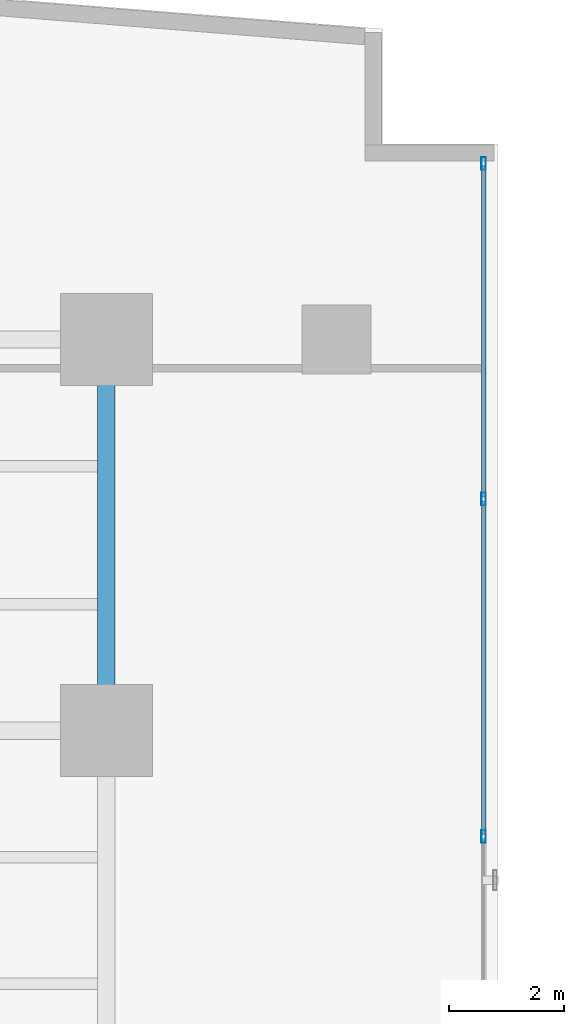
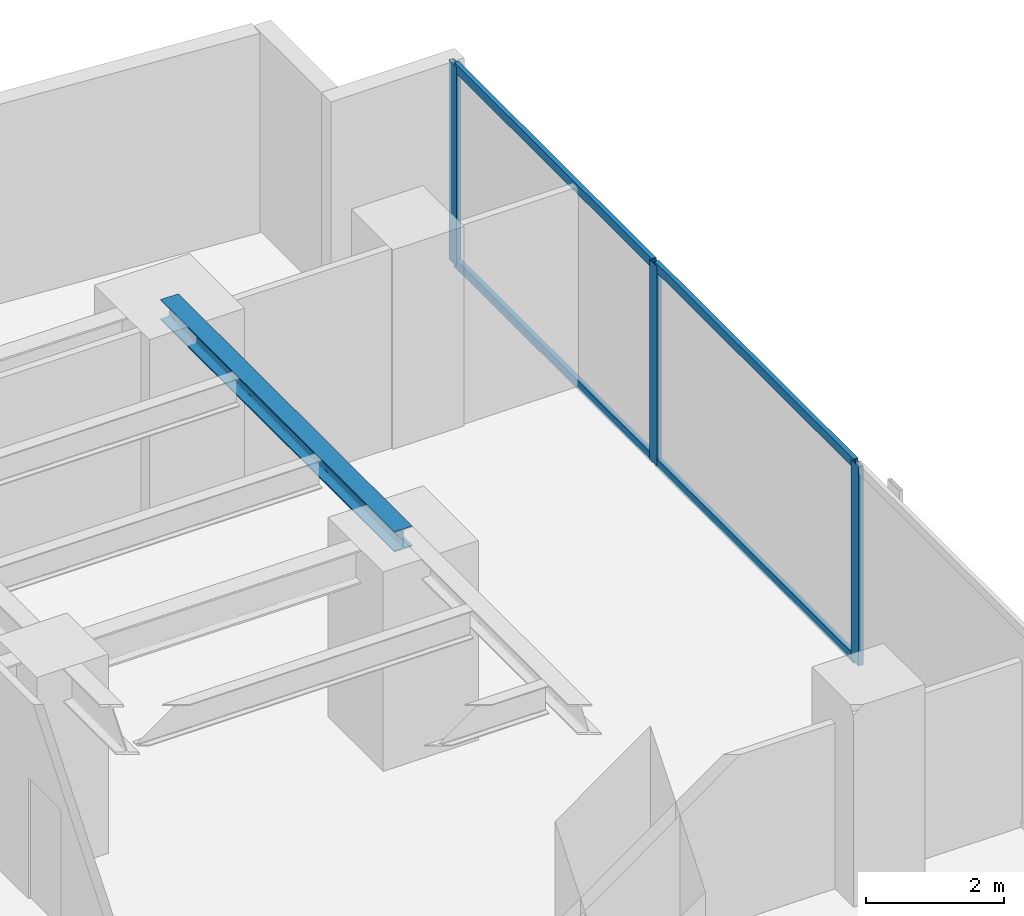
# One storey, part 19 of 27: 7 members, 1 beam, 1 element without a shape of its own.
"""IFC4 building model written with IfcOpenShell, lengths in metres."""

from ifc_helpers import new_model, si_unit, direction, frame, origin, origin_with_axes, origin_2d, place, context, subcontext, project, spatial, hollow_rectangle, i_section, extrude, source, transform, mapped, material, layer, layer_set, material_profile, profile_set, type_object, element, aggregate, save


model = new_model("IFC4")

# Units and contexts
model_context = context("Model", 3, precision=1e-05, world=origin(), true_north=direction((0.0, 1.0)))
body_context = subcontext(model_context, "Body", "Model", "MODEL_VIEW")
ifc_project = project(units=[si_unit("LENGTHUNIT", "METRE"), si_unit("AREAUNIT", "SQUARE_METRE"), si_unit("VOLUMEUNIT", "CUBIC_METRE"), si_unit("PLANEANGLEUNIT", "RADIAN"), si_unit("MASSUNIT", "GRAM", prefix="KILO")], contexts=[model_context])

# Site, building, storey
site_placement = place(None, origin())
site = spatial("IfcSite", under=ifc_project, at=site_placement, CompositionType="ELEMENT")
building_placement = place(site_placement, origin())
building = spatial("IfcBuilding", under=site, at=building_placement, Name="Kolvaren Waterfront Exchange", CompositionType="ELEMENT")
storey_placement = place(building_placement, frame((0.0, 0.0, 33.39990234375)))
storey = spatial("IfcBuildingStorey", under=building, at=storey_placement, Name="L08", CompositionType="ELEMENT", Elevation=33.39990234375)

# Beam
ifc_material_1 = material(Name="Steel S355", Category="steel")
ifc_material_profile_1 = material_profile(ifc_material_1, i_section(OverallWidth=0.300048828125, OverallDepth=0.360107421875, WebThickness=0.012451171875, FlangeThickness=0.0224609375, FilletRadius=0.027099609375, at=origin_2d()), Name="HEB360")
ifc_profile_set_1 = profile_set([ifc_material_profile_1], Name="Steel S355")
beam_type = type_object("IfcBeamType", Name="STR-BM-HEB360", PredefinedType="SPANDREL", material=ifc_profile_set_1)
beam_placement = place(storey_placement, frame((18.800048828125, 37.800048828125, 3.360107421875), z_axis=(0.0, 1.0, 0.0), x_axis=(-1.0, 0.0, 0.0)))
element("IfcBeam", 1, at=beam_placement, inside=storey, type_object=beam_type, Name="L08 north-arm edge beam 3", PredefinedType="SPANDREL", context=body_context, shape_type="SweptSolid", body=[
    extrude(i_section(OverallWidth=0.300048828125, OverallDepth=0.360107421875, WebThickness=0.012451171875, FlangeThickness=0.0224609375, FilletRadius=0.027099609375, at=origin_2d()), origin(), (0.0, 0.0, 1.0), 6.800048828125),
])

# Curtain wall, members
ifc_material_2 = material(Name="Anodised bronze aluminium 6063-T6", Category="aluminium")
ifc_layer = layer(ifc_material_2, 0.219970703125, Name="Anodised bronze aluminium 6063-T6")
ifc_layer_set = layer_set([ifc_layer], Name="Anodised bronze aluminium 6063-T6")
curtain_wall_type = type_object("IfcCurtainWallType", Name="ARC-CW-SYS1", PredefinedType="USERDEFINED", material=ifc_layer_set)
curtain_wall_placement = place(storey_placement, origin())
curtain_wall = element("IfcCurtainWall", 2, at=curtain_wall_placement, inside=storey, type_object=curtain_wall_type, Name="L08 stick curtain wall CW1 (CW-L08-NE)", ObjectType="STICK CURTAIN WALL", PredefinedType="USERDEFINED")
ifc_material_3 = material(Name="Anodised aluminium 6063-T6", Category="aluminium")
ifc_material_profile_2 = material_profile(ifc_material_3, hollow_rectangle(XDim=0.074951171875, YDim=0.159912109375, WallThickness=0.00439453125, at=origin_2d()), Name="ALU-TRN-160x75x4.5")
ifc_profile_set_2 = profile_set([ifc_material_profile_2], Name="Anodised aluminium 6063-T6")
member_type_1 = type_object("IfcMemberType", Name="ARC-CWT-160", PredefinedType="USERDEFINED", material=ifc_profile_set_2)
shared_shape_1 = source(origin_with_axes(), body_context, "Body", "SweptSolid", [
    extrude(hollow_rectangle(XDim=0.074951171875, YDim=0.159912109375, WallThickness=0.00439453125, at=origin_2d()), origin(), (0.0, 0.0, 1.0), 5.75),
])
member_1_placement = place(storey_placement, frame((25.360107421875, 41.8701171875, 0.03759765625), z_axis=(0.0, 1.0, 0.0), x_axis=(-1.0, 0.0, 0.0)))
member_1 = element("IfcMember", 3, at=member_1_placement, type_object=member_type_1, Name="CW1 transom 3.1", ObjectType="TRANSOM", PredefinedType="USERDEFINED", context=body_context, shape_type="MappedRepresentation", body=[
    mapped(shared_shape_1, transform((0.0, 0.0, 0.0), x_axis=(1.0, 0.0, 0.0), y_axis=(0.0, 1.0, 0.0), z_axis=(0.0, 0.0, 1.0), scale=1.0)),
])
member_2_placement = place(storey_placement, frame((25.360107421875, 41.8701171875, 3.502685546875), z_axis=(0.0, 1.0, 0.0), x_axis=(-1.0, 0.0, 0.0)))
member_2 = element("IfcMember", 4, at=member_2_placement, type_object=member_type_1, Name="CW1 transom 3.2", ObjectType="TRANSOM", PredefinedType="USERDEFINED", context=body_context, shape_type="MappedRepresentation", body=[
    mapped(shared_shape_1, transform((0.0, 0.0, 0.0), x_axis=(1.0, 0.0, 0.0), y_axis=(0.0, 1.0, 0.0), z_axis=(0.0, 0.0, 1.0), scale=1.0)),
])
shared_shape_2 = source(origin_with_axes(), body_context, "Body", "SweptSolid", [
    extrude(hollow_rectangle(XDim=0.074951171875, YDim=0.159912109375, WallThickness=0.00439453125, at=origin_2d()), origin(), (0.0, 0.0, 1.0), 5.7900390625),
])
member_3_placement = place(storey_placement, frame((25.360107421875, 36.0, 0.03759765625), z_axis=(0.0, 1.0, 0.0), x_axis=(-1.0, 0.0, 0.0)))
member_3 = element("IfcMember", 5, at=member_3_placement, type_object=member_type_1, Name="CW1 transom 2.1", ObjectType="TRANSOM", PredefinedType="USERDEFINED", context=body_context, shape_type="MappedRepresentation", body=[
    mapped(shared_shape_2, transform((0.0, 0.0, 0.0), x_axis=(1.0, 0.0, 0.0), y_axis=(0.0, 1.0, 0.0), z_axis=(0.0, 0.0, 1.0), scale=1.0)),
])
member_4_placement = place(storey_placement, frame((25.360107421875, 36.0, 3.502685546875), z_axis=(0.0, 1.0, 0.0), x_axis=(-1.0, 0.0, 0.0)))
member_4 = element("IfcMember", 6, at=member_4_placement, type_object=member_type_1, Name="CW1 transom 2.2", ObjectType="TRANSOM", PredefinedType="USERDEFINED", context=body_context, shape_type="MappedRepresentation", body=[
    mapped(shared_shape_2, transform((0.0, 0.0, 0.0), x_axis=(1.0, 0.0, 0.0), y_axis=(0.0, 1.0, 0.0), z_axis=(0.0, 0.0, 1.0), scale=1.0)),
])
ifc_material_profile_3 = material_profile(ifc_material_3, hollow_rectangle(XDim=0.080078125, YDim=0.219970703125, WallThickness=0.0048828125, at=origin_2d()), Name="ALU-MUL-220x80x5")
ifc_profile_set_3 = profile_set([ifc_material_profile_3], Name="Anodised aluminium 6063-T6")
member_type_2 = type_object("IfcMemberType", Name="ARC-CWM-220", PredefinedType="MULLION", material=ifc_profile_set_3)
shared_shape_3 = source(origin_with_axes(), body_context, "Body", "SweptSolid", [
    extrude(hollow_rectangle(XDim=0.080078125, YDim=0.219970703125, WallThickness=0.0048828125, at=origin_2d()), origin(), (0.0, 0.0, 1.0), 3.5400390625),
])
member_5_placement = place(storey_placement, frame((25.360107421875, 35.9599609375, 0.0), z_axis=(0.0, 0.0, 1.0), x_axis=(-1.0, 0.0, 0.0)))
member_5 = element("IfcMember", 7, at=member_5_placement, type_object=member_type_2, Name="CW1 mullion 2", PredefinedType="MULLION", context=body_context, shape_type="MappedRepresentation", body=[
    mapped(shared_shape_3, transform((0.0, 0.0, 0.0), x_axis=(1.0, 0.0, 0.0), y_axis=(0.0, 1.0, 0.0), z_axis=(0.0, 0.0, 1.0), scale=1.0)),
])
member_6_placement = place(storey_placement, frame((25.360107421875, 41.830078125, 0.0), z_axis=(0.0, 0.0, 1.0), x_axis=(-1.0, 0.0, 0.0)))
member_6 = element("IfcMember", 8, at=member_6_placement, type_object=member_type_2, Name="CW1 mullion 3", PredefinedType="MULLION", context=body_context, shape_type="MappedRepresentation", body=[
    mapped(shared_shape_3, transform((0.0, 0.0, 0.0), x_axis=(1.0, 0.0, 0.0), y_axis=(0.0, 1.0, 0.0), z_axis=(0.0, 0.0, 1.0), scale=1.0)),
])
member_7_placement = place(storey_placement, frame((25.360107421875, 47.659912109375, 0.0), z_axis=(0.0, 0.0, 1.0), x_axis=(-1.0, 0.0, 0.0)))
member_7 = element("IfcMember", 9, at=member_7_placement, type_object=member_type_2, Name="CW1 mullion 4", PredefinedType="MULLION", context=body_context, shape_type="MappedRepresentation", body=[
    mapped(shared_shape_3, transform((0.0, 0.0, 0.0), x_axis=(1.0, 0.0, 0.0), y_axis=(0.0, 1.0, 0.0), z_axis=(0.0, 0.0, 1.0), scale=1.0)),
])
aggregate(curtain_wall, [member_5, member_6, member_7, member_3, member_4, member_1, member_2])

save(model, "model.ifc")
